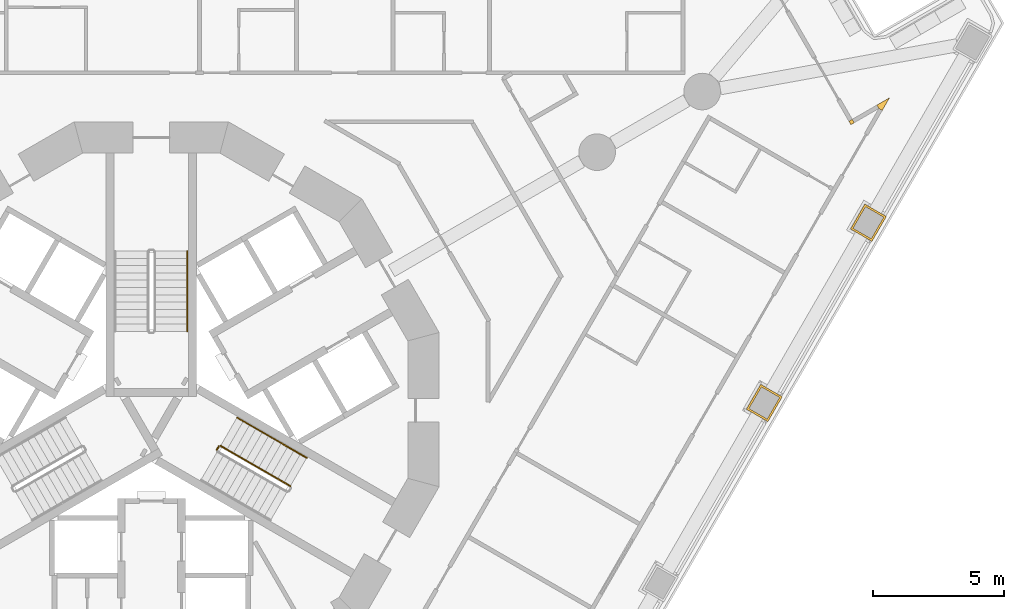
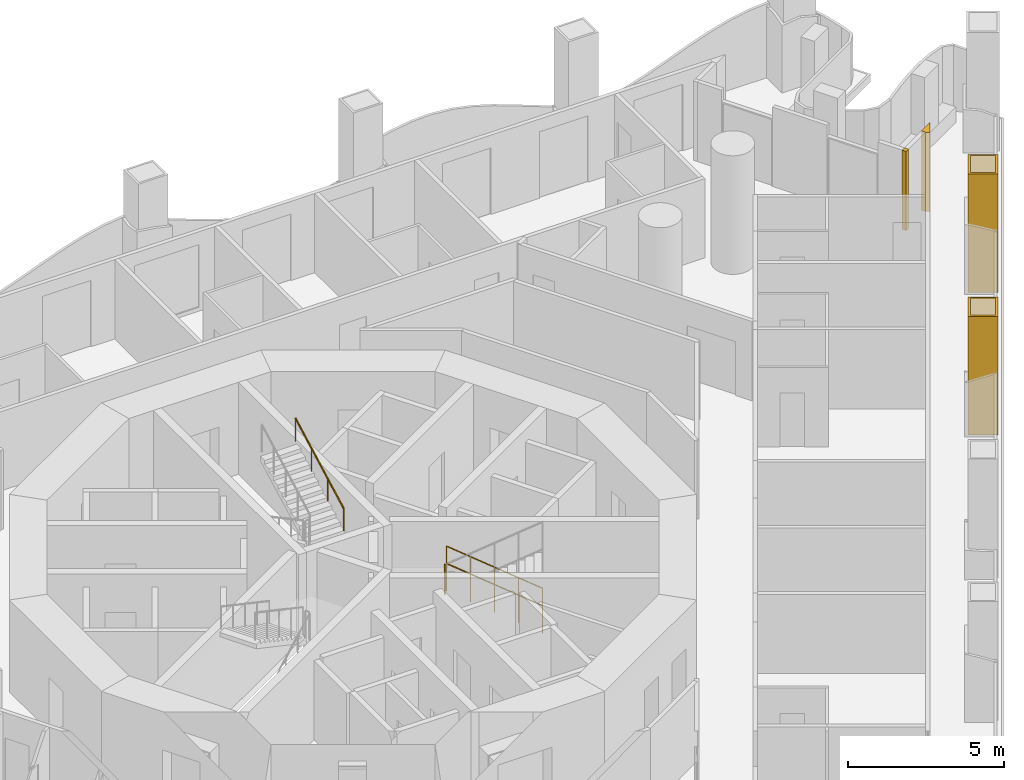
# One storey, part 17 of 19: 5 railings, 4 coverings.
"""IFC4 building model written with IfcOpenShell, lengths in metres."""

from ifc_helpers import new_model, si_unit, direction, frame, origin, origin_2d, place, context, subcontext, project, spatial, polyline, circle, outline, extrude, material, layer, layer_set, type_object, element, save


model = new_model("IFC4")

# Units and contexts
model_context = context("Model", 3, precision=1e-05, world=origin(), true_north=direction((0.0, 1.0)))
body_context = subcontext(model_context, "Body", "Model", "MODEL_VIEW")
ifc_project = project(units=[si_unit("LENGTHUNIT", "METRE"), si_unit("AREAUNIT", "SQUARE_METRE"), si_unit("VOLUMEUNIT", "CUBIC_METRE"), si_unit("PLANEANGLEUNIT", "RADIAN"), si_unit("MASSUNIT", "GRAM", prefix="KILO")], contexts=[model_context])

# Site, building, storey
site_placement = place(None, origin())
site = spatial("IfcSite", under=ifc_project, at=site_placement, CompositionType="ELEMENT")
building_placement = place(site_placement, origin())
building = spatial("IfcBuilding", under=site, at=building_placement, Name="Trine Commons Tower", CompositionType="ELEMENT")
storey_placement = place(building_placement, frame((0.0, 0.0, 42.300048828125)))
storey = spatial("IfcBuildingStorey", under=building, at=storey_placement, Name="L09", CompositionType="ELEMENT", Elevation=42.300048828125)

# Coverings
ifc_material_1 = material(Name="Aluminium-framed insulated wall panel", Category="aluminium")
ifc_layer_1 = layer(ifc_material_1, 0.14990234375)
ifc_layer_set_1 = layer_set([ifc_layer_1], Name="Aluminium-framed insulated wall panel")
covering_type_1 = type_object("IfcCoveringType", Name="Glazing corner post, aluminium", PredefinedType="CLADDING", material=ifc_layer_set_1)
covering_1_placement = place(storey_placement, origin())
element("IfcCovering", 1, at=covering_1_placement, inside=storey, type_object=covering_type_1, Name="Glazing corner post 1-07", PredefinedType="CLADDING", context=body_context, shape_type="SweptSolid", body=[
    extrude(outline(polyline([(106.688720703125, 73.532470703125), (106.763671875, 73.402587890625), (106.8935546875, 73.4775390625), (106.818603515625, 73.607421875), (106.688720703125, 73.532470703125)])), origin(), (0.0, 0.0, 1.0), 3.099853515625),
])
covering_2_placement = place(storey_placement, origin())
element("IfcCovering", 2, at=covering_2_placement, inside=storey, type_object=covering_type_1, Name="Glazing corner post 1-08", PredefinedType="CLADDING", context=body_context, shape_type="SweptSolid", body=[
    extrude(outline(polyline([(107.963623046875, 73.9453125), (108.24365234375, 74.43017578125), (107.7587890625, 74.150146484375), (107.833740234375, 74.020263671875), (107.963623046875, 73.9453125)])), origin(), (0.0, 0.0, 1.0), 3.099853515625),
])
ifc_material_2 = material(Name="Limestone, honed", Category="masonry")
ifc_layer_2 = layer(ifc_material_2, 0.074951171875)
ifc_layer_set_2 = layer_set([ifc_layer_2], Name="Limestone, honed")
covering_type_2 = type_object("IfcCoveringType", Name="Limestone column cladding 75", PredefinedType="CLADDING", material=ifc_layer_set_2)
covering_3_placement = place(storey_placement, origin())
element("IfcCovering", 3, at=covering_3_placement, inside=storey, type_object=covering_type_2, Name="Limestone pier cladding 1-18", PredefinedType="CLADDING", context=body_context, shape_type="SweptSolid", body=[
    extrude(outline(polyline([(108.12109375, 69.8876953125), (107.298095703125, 70.36279296875), (106.748291015625, 69.41015625), (107.571044921875, 68.93505859375), (108.12109375, 69.8876953125)]), holes=[polyline([(108.0185546875, 69.8603515625), (107.32568359375, 70.26025390625), (106.8505859375, 69.4375), (107.54345703125, 69.03759765625), (108.0185546875, 69.8603515625)])]), origin(), (0.0, 0.0, 1.0), 4.641357421875),
])
covering_4_placement = place(storey_placement, origin())
element("IfcCovering", 4, at=covering_4_placement, inside=storey, type_object=covering_type_2, Name="Limestone pier cladding 1-19", PredefinedType="CLADDING", context=body_context, shape_type="SweptSolid", body=[
    extrude(outline(polyline([(104.139404296875, 62.9912109375), (103.31640625, 63.46630859375), (102.7666015625, 62.513671875), (103.58935546875, 62.03857421875), (104.139404296875, 62.9912109375)]), holes=[polyline([(104.036865234375, 62.9638671875), (103.343994140625, 63.36376953125), (102.868896484375, 62.541015625), (103.561767578125, 62.14111328125), (104.036865234375, 62.9638671875)])]), origin(), (0.0, 0.0, 1.0), 4.641357421875),
])

# Railings
ifc_material_3 = material(Name="Stainless steel balustrade", Category="steel")
railing_type_1 = type_object("IfcRailingType", Name="Stair guard, steel balustrade 1100", PredefinedType="GUARDRAIL", material=ifc_material_3)
railing_1_placement = place(storey_placement, frame((85.31982421875, 59.572998046875, 0.14990234375)))
element("IfcRailing", 5, at=railing_1_placement, inside=storey, type_object=railing_type_1, Name="L09 ST3A stair guard 1", PredefinedType="GUARDRAIL", context=body_context, shape_type="SweptSolid", body=[
    extrude(circle(Radius=0.02392578125, at=origin_2d()), frame((0.0, 0.0, 1.076171875), z_axis=(-0.763379768245, 0.440728498818, 0.472239049384), x_axis=(-0.499992328818, -0.866029832698, 0.0)), (0.0, 0.0, 1.0), 3.494384765625),
    extrude(circle(Radius=0.02099609375, at=origin_2d()), origin(), (0.0, 0.0, 1.0), 1.052001953125),
    extrude(circle(Radius=0.02099609375, at=origin_2d()), frame((-0.6669921875, 0.385009765625, 0.41259765625)), (0.0, 0.0, 1.0), 1.052001953125),
    extrude(circle(Radius=0.02099609375, at=origin_2d()), frame((-1.333740234375, 0.77001953125, 0.8251953125)), (0.0, 0.0, 1.0), 1.052001953125),
    extrude(circle(Radius=0.02099609375, at=origin_2d()), frame((-2.00048828125, 1.155029296875, 1.237548828125)), (0.0, 0.0, 1.0), 1.052001953125),
    extrude(circle(Radius=0.02099609375, at=origin_2d()), frame((-2.66748046875, 1.5400390625, 1.650146484375)), (0.0, 0.0, 1.0), 1.052001953125),
])
railing_2_placement = place(storey_placement, frame((82.584228515625, 61.0947265625, 1.800048828125)))
element("IfcRailing", 6, at=railing_2_placement, inside=storey, type_object=railing_type_1, Name="L09 ST3A stair guard 2", PredefinedType="GUARDRAIL", context=body_context, shape_type="SweptSolid", body=[
    extrude(circle(Radius=0.02392578125, at=origin_2d()), frame((0.0, 0.0, 1.076171875), z_axis=(-0.501036270542, -0.865426285481, 0.0), x_axis=(0.865426285481, -0.501036270542, 0.0)), (0.0, 0.0, 1.0), 0.150146484375),
    extrude(circle(Radius=0.02099609375, at=origin_2d()), origin(), (0.0, 0.0, 1.0), 1.052001953125),
    extrude(circle(Radius=0.02099609375, at=origin_2d()), frame((-0.0751953125, -0.1298828125, 0.0)), (0.0, 0.0, 1.0), 1.052001953125),
])
ifc_material_4 = material(Name="Stainless steel handrail", Category="steel")
railing_type_2 = type_object("IfcRailingType", Name="Stair handrail, steel 900", PredefinedType="HANDRAIL", material=ifc_material_4)
railing_3_placement = place(storey_placement, frame((81.375, 65.490478515625, 1.949951171875)))
element("IfcRailing", 7, at=railing_3_placement, inside=storey, type_object=railing_type_2, Name="L09 ST1A stair handrail 2", PredefinedType="HANDRAIL", context=body_context, shape_type="SweptSolid", body=[
    extrude(circle(Radius=0.02099609375, at=origin_2d()), frame((0.0, 0.0, 0.87890625), z_axis=(0.0, 0.881496589024, 0.472190389079), x_axis=(-1.0, 0.0, 0.0)), (0.0, 0.0, 1.0), 3.494140625),
    extrude(circle(Radius=0.01513671875, at=origin_2d()), origin(), (0.0, 0.0, 1.0), 0.85791015625),
    extrude(circle(Radius=0.01513671875, at=origin_2d()), frame((0.0, 1.026611328125, 0.550048828125)), (0.0, 0.0, 1.0), 0.85791015625),
    extrude(circle(Radius=0.01513671875, at=origin_2d()), frame((0.0, 2.053466796875, 1.099853515625)), (0.0, 0.0, 1.0), 0.85791015625),
    extrude(circle(Radius=0.01513671875, at=origin_2d()), frame((0.0, 3.080078125, 1.64990234375)), (0.0, 0.0, 1.0), 0.85791015625),
])
railing_4_placement = place(storey_placement, frame((85.94482421875, 60.655517578125, 0.14990234375)))
element("IfcRailing", 8, at=railing_4_placement, inside=storey, type_object=railing_type_2, Name="L09 ST3A stair handrail 1", PredefinedType="HANDRAIL", context=body_context, shape_type="SweptSolid", body=[
    extrude(circle(Radius=0.02099609375, at=origin_2d()), frame((0.0, 0.0, 0.87890625), z_axis=(-0.76340495495, 0.440743040072, 0.472184759798), x_axis=(-0.499992328818, -0.866029832698, 0.0)), (0.0, 0.0, 1.0), 1.7470703125),
    extrude(circle(Radius=0.01513671875, at=origin_2d()), origin(), (0.0, 0.0, 1.0), 0.85791015625),
    extrude(circle(Radius=0.01513671875, at=origin_2d()), frame((-0.6669921875, 0.385009765625, 0.41259765625)), (0.0, 0.0, 1.0), 0.85791015625),
    extrude(circle(Radius=0.01513671875, at=origin_2d()), frame((-1.333740234375, 0.77001953125, 0.824951171875)), (0.0, 0.0, 1.0), 0.85791015625),
])
railing_5_placement = place(storey_placement, frame((84.611083984375, 61.425537109375, 0.974853515625)))
element("IfcRailing", 9, at=railing_5_placement, inside=storey, type_object=railing_type_2, Name="L09 ST3A stair handrail 2", PredefinedType="HANDRAIL", context=body_context, shape_type="SweptSolid", body=[
    extrude(circle(Radius=0.02099609375, at=origin_2d()), frame((0.0, 0.0, 0.87890625), z_axis=(-0.763354580307, 0.440713956853, 0.472293333596), x_axis=(-0.499992328818, -0.866029832698, 0.0)), (0.0, 0.0, 1.0), 1.747314453125),
    extrude(circle(Radius=0.01513671875, at=origin_2d()), origin(), (0.0, 0.0, 1.0), 0.85791015625),
    extrude(circle(Radius=0.01513671875, at=origin_2d()), frame((-0.6669921875, 0.385009765625, 0.41259765625)), (0.0, 0.0, 1.0), 0.85791015625),
    extrude(circle(Radius=0.01513671875, at=origin_2d()), frame((-1.333740234375, 0.77001953125, 0.8251953125)), (0.0, 0.0, 1.0), 0.85791015625),
])

save(model, "model.ifc")
